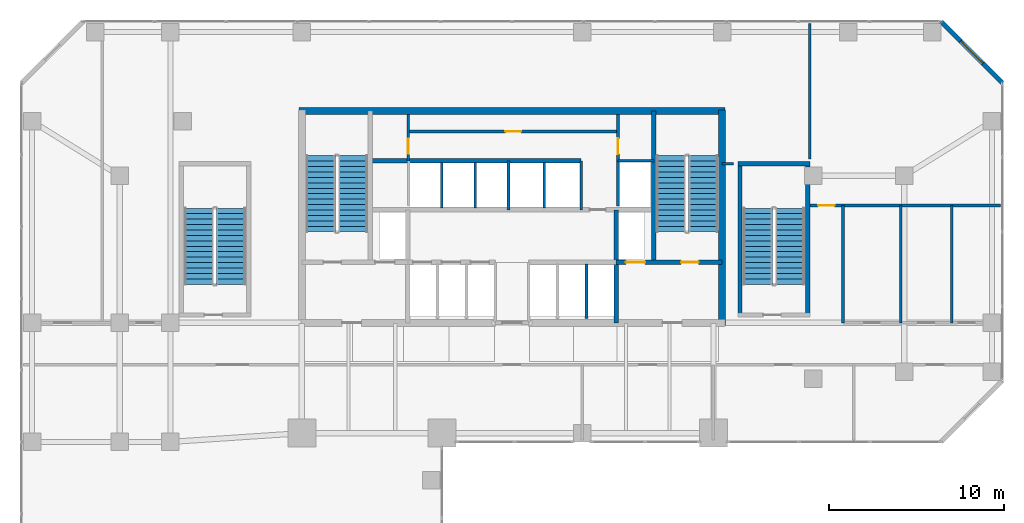
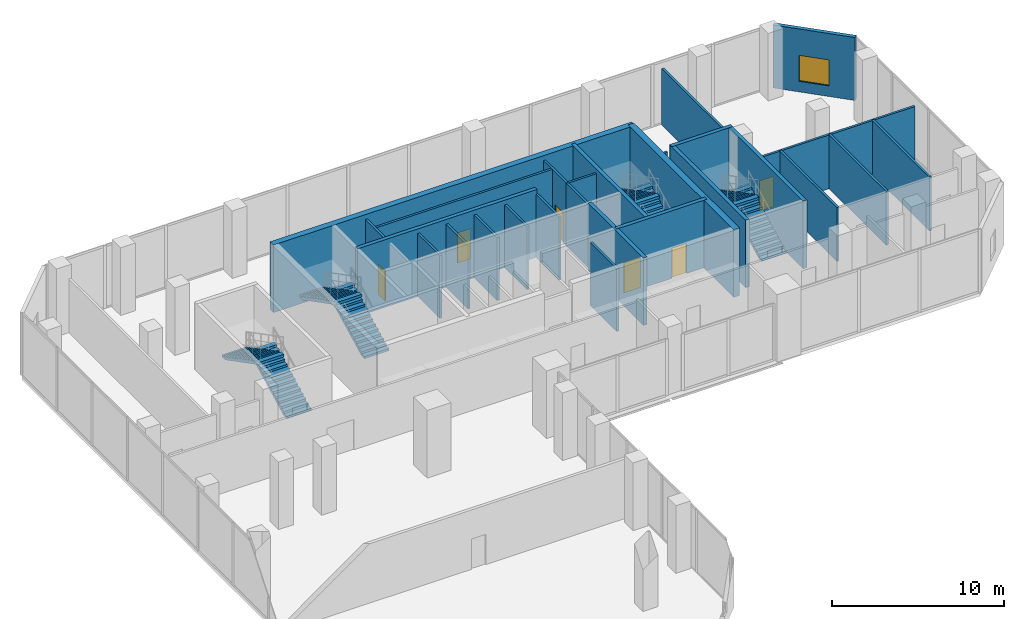
# One storey, part 22 of 24: 27 walls, 8 stair flights, 6 doors, 1 window, 7 openings, 4 elements without a shape of their own.
"""IFC4 building model written with IfcOpenShell, lengths in metres."""

from ifc_helpers import new_model, si_unit, direction, frame, frame_2d, origin, place, context, subcontext, project, spatial, polyline, rectangle, outline, extrude, material, layer, layer_set, type_object, element, fill, aggregate, save


model = new_model("IFC4")

# Units and contexts
model_context = context("Model", 3, precision=1e-05, world=origin(), true_north=direction((0.0, 1.0)))
body_context = subcontext(model_context, "Body", "Model", "MODEL_VIEW")
ifc_project = project(units=[si_unit("LENGTHUNIT", "METRE"), si_unit("AREAUNIT", "SQUARE_METRE"), si_unit("VOLUMEUNIT", "CUBIC_METRE"), si_unit("PLANEANGLEUNIT", "RADIAN"), si_unit("MASSUNIT", "GRAM", prefix="KILO")], contexts=[model_context])

# Site, building, storey
site_placement = place(None, origin())
site = spatial("IfcSite", under=ifc_project, at=site_placement, CompositionType="ELEMENT")
building_placement = place(site_placement, origin())
building = spatial("IfcBuilding", under=site, at=building_placement, Name="Catumbela Crestline Tower", CompositionType="ELEMENT")
storey_placement = place(building_placement, frame((0.0, 0.0, 11.1)))
storey = spatial("IfcBuildingStorey", under=building, at=storey_placement, Name="L02", CompositionType="ELEMENT", Elevation=11.1)

# Walls
ifc_material_1 = material(Name="Concrete C50/60", Category="concrete")
ifc_layer_1 = layer(ifc_material_1, 0.25, Name="Concrete C50/60")
ifc_layer_set_1 = layer_set([ifc_layer_1], Name="Concrete C50/60")
wall_type_1 = type_object("IfcWallType", Name="CW-250D", PredefinedType="SHEAR", material=ifc_layer_set_1)
wall_1_placement = place(storey_placement, frame((36.1, 34.25, 0.0), z_axis=(0.0, 0.0, 1.0), x_axis=(0.0, 1.0, 0.0)))
element("IfcWall", 1, at=wall_1_placement, inside=storey, type_object=wall_type_1, Name="L02 Structural Core Shear Wall EWEB", PredefinedType="SHEAR", context=body_context, shape_type="SweptSolid", body=[
    extrude(rectangle(XDim=8.65, YDim=0.25, at=frame_2d((4.325, 0.0))), origin(), (0.0, 0.0, 1.0), 4.8),
])
wall_2_placement = place(storey_placement, frame((33.95, 30.8, 0.0), z_axis=(0.0, 0.0, 1.0), x_axis=(0.0, 1.0, 0.0)))
element("IfcWall", 2, at=wall_2_placement, inside=storey, type_object=wall_type_1, Name="L02 Structural Core Shear Wall FFE", PredefinedType="SHEAR", context=body_context, shape_type="SweptSolid", body=[
    extrude(rectangle(XDim=6.45, YDim=0.25, at=frame_2d((3.225, 0.0))), origin(), (0.0, 0.0, 1.0), 4.8),
])

# Wall, openings, doors
wall_3_placement = place(storey_placement, frame((33.95, 34.25, 0.0), z_axis=(0.0, 0.0, 1.0), x_axis=(1.0, 0.0, 0.0)))
wall_3 = element("IfcWall", 3, at=wall_3_placement, inside=storey, type_object=wall_type_1, Name="L02 Structural Core Shear Wall ST2S", PredefinedType="SHEAR", context=body_context, shape_type="SweptSolid", body=[
    extrude(rectangle(XDim=6.05, YDim=0.25, at=frame_2d((3.025, 0.0))), origin(), (0.0, 0.0, 1.0), 4.8),
])
opening_1_placement = place(wall_3_placement, frame((3.7, 0.0, 0.0)))
opening_1 = element("IfcOpeningElement", 4, at=opening_1_placement, cuts=wall_3, Name="Opening DF9-100", PredefinedType="OPENING", context=body_context, shape_type="SweptSolid", body=[
    extrude(rectangle(XDim=1.0, YDim=2.15, at=frame_2d((0.5, 1.075))), frame((0.0, 0.135, 0.0), z_axis=(0.0, -1.0, 0.0), x_axis=(1.0, 0.0, 0.0)), (0.0, 0.0, 1.0), 0.27),
])
opening_2_placement = place(wall_3_placement, frame((0.55, 0.0, 0.0)))
opening_2 = element("IfcOpeningElement", 5, at=opening_2_placement, cuts=wall_3, Name="Opening LD-110", PredefinedType="OPENING", context=body_context, shape_type="SweptSolid", body=[
    extrude(rectangle(XDim=1.1, YDim=2.15, at=frame_2d((0.55, 1.075))), frame((0.0, 0.135, 0.0), z_axis=(0.0, -1.0, 0.0), x_axis=(1.0, 0.0, 0.0)), (0.0, 0.0, 1.0), 0.27),
])
ifc_material_2 = material(Name="Stainless steel EN 1.4401", Category="steel")
door_type_1 = type_object("IfcDoorType", Name="DF9-100", OperationType="NOTDEFINED", PredefinedType="DOOR", material=ifc_material_2)
door_1_placement = place(opening_1_placement, origin())
door_1 = element("IfcDoor", 6, at=door_1_placement, inside=storey, type_object=door_type_1, Name="L02 Interior Door DR-L02-ST02", OperationType="SINGLE_SWING_RIGHT", OverallHeight=2.15, OverallWidth=1.0, PredefinedType="DOOR", context=body_context, shape_type="SweptSolid", body=[
    extrude(rectangle(XDim=1.0, YDim=2.15, at=frame_2d((0.5, 1.075))), frame((0.0, 0.025, 0.0), z_axis=(0.0, -1.0, 0.0), x_axis=(1.0, 0.0, 0.0)), (0.0, 0.0, 1.0), 0.05),
])
fill(opening_1, door_1)
door_type_2 = type_object("IfcDoorType", Name="LD-110", OperationType="NOTDEFINED", PredefinedType="DOOR", material=ifc_material_2)
door_2_placement = place(opening_2_placement, origin())
door_2 = element("IfcDoor", 7, at=door_2_placement, inside=storey, type_object=door_type_2, Name="L02 Lift Landing Sliding Door FL-02", OperationType="DOUBLE_DOOR_SLIDING", OverallHeight=2.15, OverallWidth=1.1, PredefinedType="DOOR", context=body_context, shape_type="SweptSolid", body=[
    extrude(rectangle(XDim=1.1, YDim=2.15, at=frame_2d((0.55, 1.075))), frame((0.0, 0.025, 0.0), z_axis=(0.0, -1.0, 0.0), x_axis=(1.0, 0.0, 0.0)), (0.0, 0.0, 1.0), 0.05),
])
fill(opening_2, door_2)

# Walls
wall_4_placement = place(storey_placement, frame((19.9, 40.05, 0.0), z_axis=(0.0, 0.0, 1.0), x_axis=(1.0, 0.0, 0.0)))
element("IfcWall", 8, at=wall_4_placement, inside=storey, type_object=wall_type_1, Name="L02 Structural Core Shear Wall COREN", PredefinedType="SHEAR", context=body_context, shape_type="SweptSolid", body=[
    extrude(rectangle(XDim=12.05, YDim=0.25, at=frame_2d((6.025, 0.0))), origin(), (0.0, 0.0, 1.0), 4.8),
])
for number, where, z_axis, x_axis, name in (
    (9, (41.02, 31.15, 0.0), (0.0, 0.0, 1.0), (0.0, 1.0, 0.0), "L02 Structural Core Shear Wall ST4W"),
    (10, (44.88, 31.15, 0.0), (0.0, 0.0, 1.0), (0.0, 1.0, 0.0), "L02 Structural Core Shear Wall ST4E"),
):
    element("IfcWall", number, at=place(storey_placement, frame(where, z_axis=z_axis, x_axis=x_axis)), inside=storey, type_object=wall_type_1, Name=name, PredefinedType="SHEAR", context=body_context, shape_type="SweptSolid", body=[
        extrude(rectangle(XDim=8.8, YDim=0.25, at=frame_2d((4.4, 0.0))), origin(), (0.0, 0.0, 1.0), 4.8),
    ])
wall_5_placement = place(storey_placement, frame((40.9, 39.88, 0.0), z_axis=(0.0, 0.0, 1.0), x_axis=(1.0, 0.0, 0.0)))
element("IfcWall", 11, at=wall_5_placement, inside=storey, type_object=wall_type_1, Name="L02 Structural Core Shear Wall ST4N", PredefinedType="SHEAR", context=body_context, shape_type="SweptSolid", body=[
    extrude(rectangle(XDim=4.1, YDim=0.25, at=frame_2d((2.05, 0.0))), origin(), (0.0, 0.0, 1.0), 4.8),
])
ifc_material_3 = material(Name="Concrete C60/75", Category="concrete")
ifc_layer_2 = layer(ifc_material_3, 0.4, Name="Concrete C60/75")
ifc_layer_set_2 = layer_set([ifc_layer_2], Name="Concrete C60/75")
wall_type_2 = type_object("IfcWallType", Name="CW-400A", PredefinedType="SHEAR", material=ifc_layer_set_2)
wall_6_placement = place(storey_placement, frame((40.0, 30.65, 0.0), z_axis=(0.0, 0.0, 1.0), x_axis=(0.0, 1.0, 0.0)))
element("IfcWall", 12, at=wall_6_placement, inside=storey, type_object=wall_type_2, Name="L02 Structural Core Shear Wall E", PredefinedType="SHEAR", context=body_context, shape_type="SweptSolid", body=[
    extrude(rectangle(XDim=12.3, YDim=0.4, at=frame_2d((6.15, 0.0))), origin(), (0.0, 0.0, 1.0), 4.8),
])
wall_7_placement = place(storey_placement, frame((15.85, 42.9, 0.0), z_axis=(0.0, 0.0, 1.0), x_axis=(1.0, 0.0, 0.0)))
element("IfcWall", 13, at=wall_7_placement, inside=storey, type_object=wall_type_2, Name="L02 Structural Core Shear Wall N", PredefinedType="SHEAR", context=body_context, shape_type="SweptSolid", body=[
    extrude(rectangle(XDim=24.3, YDim=0.4, at=frame_2d((12.15, 0.0))), origin(), (0.0, 0.0, 1.0), 4.8),
])

# Wall, opening, window
ifc_material_4 = material(Name="Angolan grey-ochre granite", Category="masonry")
ifc_layer_3 = layer(ifc_material_4, 0.25, Name="Angolan grey-ochre granite")
ifc_layer_set_3 = layer_set([ifc_layer_3], Name="Angolan grey-ochre granite")
wall_type_3 = type_object("IfcWallType", Name="WE-250", PredefinedType="STANDARD", material=ifc_layer_set_3)
wall_8_placement = place(storey_placement, frame((56.0, 44.5, 0.0), z_axis=(0.0, 0.0, 1.0), x_axis=(-0.707106781187, 0.707106781187, 0.0)))
wall_8 = element("IfcWall", 14, at=wall_8_placement, inside=storey, type_object=wall_type_3, Name="L02 Granite Punched Window Wall 6-1", PredefinedType="STANDARD", context=body_context, shape_type="SweptSolid", body=[
    extrude(rectangle(XDim=4.9497, YDim=0.25, at=frame_2d((2.4748, 0.0))), origin(), (0.0, 0.0, 1.0), 4.47),
])
opening_3_placement = place(wall_8_placement, frame((1.5749, 0.0, 0.75)))
opening_3 = element("IfcOpeningElement", 15, at=opening_3_placement, cuts=wall_8, Name="Opening WN-01", PredefinedType="OPENING", context=body_context, shape_type="SweptSolid", body=[
    extrude(rectangle(XDim=1.8, YDim=1.85, at=frame_2d((0.9, 0.925))), frame((0.0, 0.135, 0.0), z_axis=(0.0, -1.0, 0.0), x_axis=(1.0, 0.0, 0.0)), (0.0, 0.0, 1.0), 0.27),
])
ifc_material_5 = material(Name="Low-E laminated solar-control double glazing", Category="glass")
window_type = type_object("IfcWindowType", Name="WF-1800", PartitioningType="SINGLE_PANEL", PredefinedType="WINDOW", material=ifc_material_5)
window_placement = place(opening_3_placement, origin())
window = element("IfcWindow", 16, at=window_placement, inside=storey, type_object=window_type, Name="L02 Facade Vision Window 33", OverallHeight=1.85, OverallWidth=1.8, PartitioningType="SINGLE_PANEL", PredefinedType="WINDOW", context=body_context, shape_type="SweptSolid", body=[
    extrude(rectangle(XDim=1.8, YDim=1.85, at=frame_2d((0.9, 0.925))), frame((0.0, 0.03, 0.0), z_axis=(0.0, -1.0, 0.0), x_axis=(1.0, 0.0, 0.0)), (0.0, 0.0, 1.0), 0.06),
])
fill(opening_3, window)

# Wall
ifc_material_6 = material(Name="Acoustic gypsum and mineral-wool partition")
ifc_layer_4 = layer(ifc_material_6, 0.15, Name="Acoustic gypsum and mineral-wool partition")
ifc_layer_set_4 = layer_set([ifc_layer_4], Name="Acoustic gypsum and mineral-wool partition")
wall_type_4 = type_object("IfcWallType", Name="WP-150", PredefinedType="PARTITIONING", material=ifc_layer_set_4)
wall_9_placement = place(storey_placement, frame((34.05, 40.05, 0.0), z_axis=(0.0, 0.0, 1.0), x_axis=(1.0, 0.0, 0.0)))
element("IfcWall", 17, at=wall_9_placement, inside=storey, type_object=wall_type_4, Name="L02 Interior Partition PW-L02-CR-ES", PredefinedType="PARTITIONING", context=body_context, shape_type="SweptSolid", body=[
    extrude(rectangle(XDim=2.05, YDim=0.15, at=frame_2d((1.025, 0.0))), origin(), (0.0, 0.0, 1.0), 4.47),
])

# Wall, opening, door
wall_10_placement = place(storey_placement, frame((34.05, 40.05, 0.0), z_axis=(0.0, 0.0, 1.0), x_axis=(0.0, 1.0, 0.0)))
wall_10 = element("IfcWall", 18, at=wall_10_placement, inside=storey, type_object=wall_type_4, Name="L02 Interior Partition PW-L02-CR-EW", PredefinedType="PARTITIONING", context=body_context, shape_type="SweptSolid", body=[
    extrude(rectangle(XDim=2.63, YDim=0.15, at=frame_2d((1.315, 0.0))), origin(), (0.0, 0.0, 1.0), 4.47),
])
opening_4_placement = place(wall_10_placement, frame((0.385, 0.0, 0.0)))
opening_4 = element("IfcOpeningElement", 19, at=opening_4_placement, cuts=wall_10, Name="Opening DF9-090", PredefinedType="OPENING", context=body_context, shape_type="SweptSolid", body=[
    extrude(rectangle(XDim=0.9, YDim=2.15, at=frame_2d((0.45, 1.075))), frame((0.0, 0.085, 0.0), z_axis=(0.0, -1.0, 0.0), x_axis=(1.0, 0.0, 0.0)), (0.0, 0.0, 1.0), 0.17),
])
door_type_3 = type_object("IfcDoorType", Name="DF9-090", OperationType="NOTDEFINED", PredefinedType="DOOR", material=ifc_material_2)
door_3_placement = place(opening_4_placement, origin())
door_3 = element("IfcDoor", 20, at=door_3_placement, inside=storey, type_object=door_type_3, Name="L02 Interior Door DR-L02-CREAST", OperationType="SINGLE_SWING_RIGHT", OverallHeight=2.15, OverallWidth=0.9, PredefinedType="DOOR", context=body_context, shape_type="SweptSolid", body=[
    extrude(rectangle(XDim=0.9, YDim=2.15, at=frame_2d((0.45, 1.075))), frame((0.0, 0.025, 0.0), z_axis=(0.0, -1.0, 0.0), x_axis=(1.0, 0.0, 0.0)), (0.0, 0.0, 1.0), 0.05),
])
fill(opening_4, door_3)

wall_11_placement = place(storey_placement, frame((22.08, 40.05, 0.0), z_axis=(0.0, 0.0, 1.0), x_axis=(0.0, 1.0, 0.0)))
wall_11 = element("IfcWall", 21, at=wall_11_placement, inside=storey, type_object=wall_type_4, Name="L02 Interior Partition PW-L02-CR-WCW", PredefinedType="PARTITIONING", context=body_context, shape_type="SweptSolid", body=[
    extrude(rectangle(XDim=2.63, YDim=0.15, at=frame_2d((1.315, 0.0))), origin(), (0.0, 0.0, 1.0), 4.47),
])
opening_5_placement = place(wall_11_placement, frame((0.41, 0.0, 0.0)))
opening_5 = element("IfcOpeningElement", 22, at=opening_5_placement, cuts=wall_11, Name="Opening DI-085", PredefinedType="OPENING", context=body_context, shape_type="SweptSolid", body=[
    extrude(rectangle(XDim=0.85, YDim=2.15, at=frame_2d((0.425, 1.075))), frame((0.0, 0.085, 0.0), z_axis=(0.0, -1.0, 0.0), x_axis=(1.0, 0.0, 0.0)), (0.0, 0.0, 1.0), 0.17),
])
ifc_material_7 = material(Name="Aluminium alloy AW-6060-T66", Category="aluminium")
door_type_4 = type_object("IfcDoorType", Name="DI-085", OperationType="NOTDEFINED", PredefinedType="DOOR", material=ifc_material_7)
door_4_placement = place(opening_5_placement, origin())
door_4 = element("IfcDoor", 23, at=door_4_placement, inside=storey, type_object=door_type_4, Name="L02 Interior Door DR-L02-CRWC", OperationType="SINGLE_SWING_LEFT", OverallHeight=2.15, OverallWidth=0.85, PredefinedType="DOOR", context=body_context, shape_type="SweptSolid", body=[
    extrude(rectangle(XDim=0.85, YDim=2.15, at=frame_2d((0.425, 1.075))), frame((0.0, 0.025, 0.0), z_axis=(0.0, -1.0, 0.0), x_axis=(1.0, 0.0, 0.0)), (0.0, 0.0, 1.0), 0.05),
])
fill(opening_5, door_4)

wall_12_placement = place(storey_placement, frame((22.08, 41.72, 0.0), z_axis=(0.0, 0.0, 1.0), x_axis=(1.0, 0.0, 0.0)))
wall_12 = element("IfcWall", 24, at=wall_12_placement, inside=storey, type_object=wall_type_4, Name="L02 Interior Partition PW-L02-CR-MID", PredefinedType="PARTITIONING", context=body_context, shape_type="SweptSolid", body=[
    extrude(rectangle(XDim=11.97, YDim=0.15, at=frame_2d((5.985, 0.0))), origin(), (0.0, 0.0, 1.0), 4.47),
])
opening_6_placement = place(wall_12_placement, frame((5.535, 0.0, 0.0)))
opening_6 = element("IfcOpeningElement", 25, at=opening_6_placement, cuts=wall_12, Name="Opening DF9-090", PredefinedType="OPENING", context=body_context, shape_type="SweptSolid", body=[
    extrude(rectangle(XDim=0.9, YDim=2.15, at=frame_2d((0.45, 1.075))), frame((0.0, 0.085, 0.0), z_axis=(0.0, -1.0, 0.0), x_axis=(1.0, 0.0, 0.0)), (0.0, 0.0, 1.0), 0.17),
])
door_5_placement = place(opening_6_placement, origin())
door_5 = element("IfcDoor", 26, at=door_5_placement, inside=storey, type_object=door_type_3, Name="L02 Interior Door DR-L02-CRMID", OperationType="SINGLE_SWING_LEFT", OverallHeight=2.15, OverallWidth=0.9, PredefinedType="DOOR", context=body_context, shape_type="SweptSolid", body=[
    extrude(rectangle(XDim=0.9, YDim=2.15, at=frame_2d((0.45, 1.075))), frame((0.0, 0.025, 0.0), z_axis=(0.0, -1.0, 0.0), x_axis=(1.0, 0.0, 0.0)), (0.0, 0.0, 1.0), 0.05),
])
fill(opening_6, door_5)

# Walls
for number, where, z_axis, x_axis, name in (
    (27, (46.9, 30.8, 0.0), (0.0, 0.0, 1.0), (0.0, 1.0, 0.0), "L02 Interior Partition PW-L02-PSGE"),
    (28, (50.2, 30.8, 0.0), (0.0, 0.0, 1.0), (0.0, 1.0, 0.0), "L02 Interior Partition PW-L02-WCM1"),
    (29, (53.1, 30.8, 0.0), (0.0, 0.0, 1.0), (0.0, 1.0, 0.0), "L02 Interior Partition PW-L02-WCM2"),
):
    element("IfcWall", number, at=place(storey_placement, frame(where, z_axis=z_axis, x_axis=x_axis)), inside=storey, type_object=wall_type_4, Name=name, PredefinedType="PARTITIONING", context=body_context, shape_type="SweptSolid", body=[
        extrude(rectangle(XDim=6.7, YDim=0.15, at=frame_2d((3.35, 0.0))), origin(), (0.0, 0.0, 1.0), 3.82),
    ])

# Wall, opening, door
wall_13_placement = place(storey_placement, frame((45.0, 37.5, 0.0), z_axis=(0.0, 0.0, 1.0), x_axis=(1.0, 0.0, 0.0)))
wall_13 = element("IfcWall", 30, at=wall_13_placement, inside=storey, type_object=wall_type_4, Name="L02 Interior Partition PW-L02-WCN", PredefinedType="PARTITIONING", context=body_context, shape_type="SweptSolid", body=[
    extrude(rectangle(XDim=10.9, YDim=0.15, at=frame_2d((5.45, 0.0))), origin(), (0.0, 0.0, 1.0), 3.82),
])
opening_7_placement = place(wall_13_placement, frame((0.475, 0.0, 0.0)))
opening_7 = element("IfcOpeningElement", 31, at=opening_7_placement, cuts=wall_13, Name="Opening DF6-095", PredefinedType="OPENING", context=body_context, shape_type="SweptSolid", body=[
    extrude(rectangle(XDim=0.95, YDim=2.15, at=frame_2d((0.475, 1.075))), frame((0.0, 0.085, 0.0), z_axis=(0.0, -1.0, 0.0), x_axis=(1.0, 0.0, 0.0)), (0.0, 0.0, 1.0), 0.17),
])
door_type_5 = type_object("IfcDoorType", Name="DF6-095", OperationType="NOTDEFINED", PredefinedType="DOOR", material=ifc_material_7)
door_6_placement = place(opening_7_placement, origin())
door_6 = element("IfcDoor", 32, at=door_6_placement, inside=storey, type_object=door_type_5, Name="L02 Interior Door DR-L02-NEE", OperationType="SINGLE_SWING_RIGHT", OverallHeight=2.15, OverallWidth=0.95, PredefinedType="DOOR", context=body_context, shape_type="SweptSolid", body=[
    extrude(rectangle(XDim=0.95, YDim=2.15, at=frame_2d((0.475, 1.075))), frame((0.0, 0.025, 0.0), z_axis=(0.0, -1.0, 0.0), x_axis=(1.0, 0.0, 0.0)), (0.0, 0.0, 1.0), 0.05),
])
fill(opening_7, door_6)

# Walls
wall_14_placement = place(storey_placement, frame((45.0, 40.1634, 0.0), z_axis=(0.0, 0.0, 1.0), x_axis=(0.0, 1.0, 0.0)))
element("IfcWall", 33, at=wall_14_placement, inside=storey, type_object=wall_type_4, Name="L02 Interior Partition PW-L02-NESVW", PredefinedType="PARTITIONING", context=body_context, shape_type="SweptSolid", body=[
    extrude(rectangle(XDim=7.7366, YDim=0.15, at=frame_2d((3.8683, 0.0))), origin(), (0.0, 0.0, 1.0), 4.01),
])
wall_15_placement = place(storey_placement, frame((40.0, 39.88, 0.0), z_axis=(0.0, 0.0, 1.0), x_axis=(1.0, 0.0, 0.0)))
element("IfcWall", 34, at=wall_15_placement, inside=storey, type_object=wall_type_4, Name="L02 Interior Partition PW-L02-NECR", PredefinedType="PARTITIONING", context=body_context, shape_type="SweptSolid", body=[
    extrude(rectangle(XDim=0.655, YDim=0.15, at=frame_2d((0.3275, 0.0))), origin(), (0.0, 0.0, 1.0), 4.47),
])
ifc_layer_5 = layer(ifc_material_6, 0.15, Name="Acoustic gypsum and mineral-wool partition")
ifc_layer_set_5 = layer_set([ifc_layer_5], Name="Acoustic gypsum and mineral-wool partition")
wall_type_5 = type_object("IfcWallType", Name="WS-150", PredefinedType="PLUMBINGWALL", material=ifc_layer_set_5)
wall_16_placement = place(storey_placement, frame((32.25, 31.05, 0.0), z_axis=(0.0, 0.0, 1.0), x_axis=(0.0, 1.0, 0.0)))
element("IfcWall", 35, at=wall_16_placement, inside=storey, type_object=wall_type_5, Name="L02 Interior Partition PW-L02-SHM2", PredefinedType="PLUMBINGWALL", context=body_context, shape_type="SweptSolid", body=[
    extrude(rectangle(XDim=3.1, YDim=0.15, at=frame_2d((1.55, 0.0))), origin(), (0.0, 0.0, 1.0), 4.47),
])
wall_17_placement = place(storey_placement, frame((27.8, 37.25, 0.0), z_axis=(0.0, 0.0, 1.0), x_axis=(0.0, 1.0, 0.0)))
element("IfcWall", 36, at=wall_17_placement, inside=storey, type_object=wall_type_5, Name="L02 Interior Partition PW-L02-SHH3", PredefinedType="PLUMBINGWALL", context=body_context, shape_type="SweptSolid", body=[
    extrude(rectangle(XDim=2.8, YDim=0.15, at=frame_2d((1.4, 0.0))), origin(), (0.0, 0.0, 1.0), 4.47),
])
for number, where, z_axis, x_axis, name in (
    (37, (24.0, 37.35, 0.0), (0.0, 0.0, 1.0), (0.0, 1.0, 0.0), "L02 Interior Partition PW-L02-SHH1"),
    (38, (25.9, 37.35, 0.0), (0.0, 0.0, 1.0), (0.0, 1.0, 0.0), "L02 Interior Partition PW-L02-SHH2"),
):
    element("IfcWall", number, at=place(storey_placement, frame(where, z_axis=z_axis, x_axis=x_axis)), inside=storey, type_object=wall_type_5, Name=name, PredefinedType="PLUMBINGWALL", context=body_context, shape_type="SweptSolid", body=[
        extrude(rectangle(XDim=2.6, YDim=0.15, at=frame_2d((1.3, 0.0))), origin(), (0.0, 0.0, 1.0), 4.47),
    ])
wall_18_placement = place(storey_placement, frame((31.95, 37.25, 0.0), z_axis=(0.0, 0.0, 1.0), x_axis=(0.0, 1.0, 0.0)))
element("IfcWall", 39, at=wall_18_placement, inside=storey, type_object=wall_type_5, Name="L02 Interior Partition PW-L02-SHEX2E", PredefinedType="PLUMBINGWALL", context=body_context, shape_type="SweptSolid", body=[
    extrude(rectangle(XDim=2.8, YDim=0.15, at=frame_2d((1.4, 0.0))), origin(), (0.0, 0.0, 1.0), 4.47),
])
wall_19_placement = place(storey_placement, frame((29.85, 37.35, 0.0), z_axis=(0.0, 0.0, 1.0), x_axis=(0.0, 1.0, 0.0)))
element("IfcWall", 40, at=wall_19_placement, inside=storey, type_object=wall_type_5, Name="L02 Interior Partition PW-L02-SHEX1", PredefinedType="PLUMBINGWALL", context=body_context, shape_type="SweptSolid", body=[
    extrude(rectangle(XDim=2.6, YDim=0.15, at=frame_2d((1.3, 0.0))), origin(), (0.0, 0.0, 1.0), 4.47),
])
wall_20_placement = place(storey_placement, frame((34.05, 37.4734, 0.0), z_axis=(0.0, 0.0, 1.0), x_axis=(0.0, 1.0, 0.0)))
element("IfcWall", 41, at=wall_20_placement, inside=storey, type_object=wall_type_5, Name="L02 Interior Partition PW-L02-RISW", PredefinedType="PLUMBINGWALL", context=body_context, shape_type="SweptSolid", body=[
    extrude(rectangle(XDim=2.5766, YDim=0.15, at=frame_2d((1.2883, 0.0))), origin(), (0.0, 0.0, 1.0), 4.47),
])

# Stair, stair flights
ifc_material_8 = material(Name="Concrete C45/55", Category="concrete")
stair_type = type_object("IfcStairType", Name="ST-DLG", PredefinedType="HALF_TURN_STAIR", material=ifc_material_8)
stair_1_placement = place(storey_placement, origin())
stair_1 = element("IfcStair", 42, at=stair_1_placement, inside=storey, type_object=stair_type, Name="L02 West Core Pressurised Exit Stair ST-01", PredefinedType="HALF_TURN_STAIR")
stair_flight_type = type_object("IfcStairFlightType", Name="SF-1600", PredefinedType="STRAIGHT", material=ifc_material_8)
stair_flight_1_placement = place(storey_placement, frame((18.92, 36.0, 0.0), z_axis=(0.0, 0.0, 1.0), x_axis=(0.0, 1.0, 0.0)))
stair_flight_1 = element("IfcStairFlight", 43, at=stair_flight_1_placement, type_object=stair_flight_type, Name="ST-01 flight 1", NumberOfRisers=15, NumberOfTreads=14, PredefinedType="STRAIGHT", RiserHeight=0.16, TreadLength=0.31, context=body_context, shape_type="SweptSolid", body=[
    extrude(outline(polyline([(0.0, 0.0), (0.0, 0.16), (0.31, 0.16), (0.31, 0.32), (0.62, 0.32), (0.62, 0.48), (0.93, 0.48), (0.93, 0.64), (1.24, 0.64), (1.24, 0.8), (1.55, 0.8), (1.55, 0.96), (1.86, 0.96), (1.86, 1.12), (2.17, 1.12), (2.17, 1.28), (2.48, 1.28), (2.48, 1.44), (2.79, 1.44), (2.79, 1.6), (3.1, 1.6), (3.1, 1.76), (3.41, 1.76), (3.41, 1.92), (3.72, 1.92), (3.72, 2.08), (4.03, 2.08), (4.03, 2.24), (4.34, 2.24), (4.34, 2.4), (4.34, 2.0599), (0.3489, 0.0), (0.0, 0.0)])), frame((0.0, 0.83, 0.0), z_axis=(0.0, -1.0, 0.0), x_axis=(1.0, 0.0, 0.0)), (0.0, 0.0, 1.0), 1.66),
])
stair_flight_2_placement = place(storey_placement, frame((17.08, 40.34, 2.4), z_axis=(0.0, 0.0, 1.0), x_axis=(0.0, -1.0, 0.0)))
stair_flight_2 = element("IfcStairFlight", 44, at=stair_flight_2_placement, type_object=stair_flight_type, Name="ST-01 flight 2", NumberOfRisers=15, NumberOfTreads=14, PredefinedType="STRAIGHT", RiserHeight=0.16, TreadLength=0.31, context=body_context, shape_type="SweptSolid", body=[
    extrude(outline(polyline([(0.0, 0.0), (0.0, 0.16), (0.31, 0.16), (0.31, 0.32), (0.62, 0.32), (0.62, 0.48), (0.93, 0.48), (0.93, 0.64), (1.24, 0.64), (1.24, 0.8), (1.55, 0.8), (1.55, 0.96), (1.86, 0.96), (1.86, 1.12), (2.17, 1.12), (2.17, 1.28), (2.48, 1.28), (2.48, 1.44), (2.79, 1.44), (2.79, 1.6), (3.1, 1.6), (3.1, 1.76), (3.41, 1.76), (3.41, 1.92), (3.72, 1.92), (3.72, 2.08), (4.03, 2.08), (4.03, 2.24), (4.34, 2.24), (4.34, 2.4), (4.34, 2.0599), (0.3489, 0.0), (0.0, 0.0)])), frame((0.0, 0.83, 0.0), z_axis=(0.0, -1.0, 0.0), x_axis=(1.0, 0.0, 0.0)), (0.0, 0.0, 1.0), 1.66),
])
aggregate(stair_1, [stair_flight_1, stair_flight_2])

stair_2_placement = place(storey_placement, origin())
stair_2 = element("IfcStair", 45, at=stair_2_placement, inside=storey, type_object=stair_type, Name="L02 East Core Pressurised Exit Stair ST-02", PredefinedType="HALF_TURN_STAIR")
stair_flight_3_placement = place(storey_placement, frame((38.92, 36.0, 0.0), z_axis=(0.0, 0.0, 1.0), x_axis=(0.0, 1.0, 0.0)))
stair_flight_3 = element("IfcStairFlight", 46, at=stair_flight_3_placement, type_object=stair_flight_type, Name="ST-02 flight 1", NumberOfRisers=15, NumberOfTreads=14, PredefinedType="STRAIGHT", RiserHeight=0.16, TreadLength=0.31, context=body_context, shape_type="SweptSolid", body=[
    extrude(outline(polyline([(0.0, 0.0), (0.0, 0.16), (0.31, 0.16), (0.31, 0.32), (0.62, 0.32), (0.62, 0.48), (0.93, 0.48), (0.93, 0.64), (1.24, 0.64), (1.24, 0.8), (1.55, 0.8), (1.55, 0.96), (1.86, 0.96), (1.86, 1.12), (2.17, 1.12), (2.17, 1.28), (2.48, 1.28), (2.48, 1.44), (2.79, 1.44), (2.79, 1.6), (3.1, 1.6), (3.1, 1.76), (3.41, 1.76), (3.41, 1.92), (3.72, 1.92), (3.72, 2.08), (4.03, 2.08), (4.03, 2.24), (4.34, 2.24), (4.34, 2.4), (4.34, 2.0599), (0.3489, 0.0), (0.0, 0.0)])), frame((0.0, 0.83, 0.0), z_axis=(0.0, -1.0, 0.0), x_axis=(1.0, 0.0, 0.0)), (0.0, 0.0, 1.0), 1.66),
])
stair_flight_4_placement = place(storey_placement, frame((37.08, 40.34, 2.4), z_axis=(0.0, 0.0, 1.0), x_axis=(0.0, -1.0, 0.0)))
stair_flight_4 = element("IfcStairFlight", 47, at=stair_flight_4_placement, type_object=stair_flight_type, Name="ST-02 flight 2", NumberOfRisers=15, NumberOfTreads=14, PredefinedType="STRAIGHT", RiserHeight=0.16, TreadLength=0.31, context=body_context, shape_type="SweptSolid", body=[
    extrude(outline(polyline([(0.0, 0.0), (0.0, 0.16), (0.31, 0.16), (0.31, 0.32), (0.62, 0.32), (0.62, 0.48), (0.93, 0.48), (0.93, 0.64), (1.24, 0.64), (1.24, 0.8), (1.55, 0.8), (1.55, 0.96), (1.86, 0.96), (1.86, 1.12), (2.17, 1.12), (2.17, 1.28), (2.48, 1.28), (2.48, 1.44), (2.79, 1.44), (2.79, 1.6), (3.1, 1.6), (3.1, 1.76), (3.41, 1.76), (3.41, 1.92), (3.72, 1.92), (3.72, 2.08), (4.03, 2.08), (4.03, 2.24), (4.34, 2.24), (4.34, 2.4), (4.34, 2.0599), (0.3489, 0.0), (0.0, 0.0)])), frame((0.0, 0.83, 0.0), z_axis=(0.0, -1.0, 0.0), x_axis=(1.0, 0.0, 0.0)), (0.0, 0.0, 1.0), 1.66),
])
aggregate(stair_2, [stair_flight_3, stair_flight_4])

stair_3_placement = place(storey_placement, origin())
stair_3 = element("IfcStair", 48, at=stair_3_placement, inside=storey, type_object=stair_type, Name="L02 South-West Podium Exit Stair ST-03", PredefinedType="HALF_TURN_STAIR")
stair_flight_5_placement = place(storey_placement, frame((11.97, 33.0, 0.0), z_axis=(0.0, 0.0, 1.0), x_axis=(0.0, 1.0, 0.0)))
stair_flight_5 = element("IfcStairFlight", 49, at=stair_flight_5_placement, type_object=stair_flight_type, Name="ST-03 flight 1", NumberOfRisers=15, NumberOfTreads=14, PredefinedType="STRAIGHT", RiserHeight=0.16, TreadLength=0.31, context=body_context, shape_type="SweptSolid", body=[
    extrude(outline(polyline([(0.0, 0.0), (0.0, 0.16), (0.31, 0.16), (0.31, 0.32), (0.62, 0.32), (0.62, 0.48), (0.93, 0.48), (0.93, 0.64), (1.24, 0.64), (1.24, 0.8), (1.55, 0.8), (1.55, 0.96), (1.86, 0.96), (1.86, 1.12), (2.17, 1.12), (2.17, 1.28), (2.48, 1.28), (2.48, 1.44), (2.79, 1.44), (2.79, 1.6), (3.1, 1.6), (3.1, 1.76), (3.41, 1.76), (3.41, 1.92), (3.72, 1.92), (3.72, 2.08), (4.03, 2.08), (4.03, 2.24), (4.34, 2.24), (4.34, 2.4), (4.34, 2.0599), (0.3489, 0.0), (0.0, 0.0)])), frame((0.0, 0.83, 0.0), z_axis=(0.0, -1.0, 0.0), x_axis=(1.0, 0.0, 0.0)), (0.0, 0.0, 1.0), 1.66),
])
stair_flight_6_placement = place(storey_placement, frame((10.13, 37.34, 2.4), z_axis=(0.0, 0.0, 1.0), x_axis=(0.0, -1.0, 0.0)))
stair_flight_6 = element("IfcStairFlight", 50, at=stair_flight_6_placement, type_object=stair_flight_type, Name="ST-03 flight 2", NumberOfRisers=15, NumberOfTreads=14, PredefinedType="STRAIGHT", RiserHeight=0.16, TreadLength=0.31, context=body_context, shape_type="SweptSolid", body=[
    extrude(outline(polyline([(0.0, 0.0), (0.0, 0.16), (0.31, 0.16), (0.31, 0.32), (0.62, 0.32), (0.62, 0.48), (0.93, 0.48), (0.93, 0.64), (1.24, 0.64), (1.24, 0.8), (1.55, 0.8), (1.55, 0.96), (1.86, 0.96), (1.86, 1.12), (2.17, 1.12), (2.17, 1.28), (2.48, 1.28), (2.48, 1.44), (2.79, 1.44), (2.79, 1.6), (3.1, 1.6), (3.1, 1.76), (3.41, 1.76), (3.41, 1.92), (3.72, 1.92), (3.72, 2.08), (4.03, 2.08), (4.03, 2.24), (4.34, 2.24), (4.34, 2.4), (4.34, 2.0599), (0.3489, 0.0), (0.0, 0.0)])), frame((0.0, 0.83, 0.0), z_axis=(0.0, -1.0, 0.0), x_axis=(1.0, 0.0, 0.0)), (0.0, 0.0, 1.0), 1.66),
])
aggregate(stair_3, [stair_flight_5, stair_flight_6])

stair_4_placement = place(storey_placement, origin())
stair_4 = element("IfcStair", 51, at=stair_4_placement, inside=storey, type_object=stair_type, Name="L02 East Galleria Podium Exit Stair ST-04", PredefinedType="HALF_TURN_STAIR")
stair_flight_7_placement = place(storey_placement, frame((43.87, 33.0, 0.0), z_axis=(0.0, 0.0, 1.0), x_axis=(0.0, 1.0, 0.0)))
stair_flight_7 = element("IfcStairFlight", 52, at=stair_flight_7_placement, type_object=stair_flight_type, Name="ST-04 flight 1", NumberOfRisers=15, NumberOfTreads=14, PredefinedType="STRAIGHT", RiserHeight=0.16, TreadLength=0.31, context=body_context, shape_type="SweptSolid", body=[
    extrude(outline(polyline([(0.0, 0.0), (0.0, 0.16), (0.31, 0.16), (0.31, 0.32), (0.62, 0.32), (0.62, 0.48), (0.93, 0.48), (0.93, 0.64), (1.24, 0.64), (1.24, 0.8), (1.55, 0.8), (1.55, 0.96), (1.86, 0.96), (1.86, 1.12), (2.17, 1.12), (2.17, 1.28), (2.48, 1.28), (2.48, 1.44), (2.79, 1.44), (2.79, 1.6), (3.1, 1.6), (3.1, 1.76), (3.41, 1.76), (3.41, 1.92), (3.72, 1.92), (3.72, 2.08), (4.03, 2.08), (4.03, 2.24), (4.34, 2.24), (4.34, 2.4), (4.34, 2.0599), (0.3489, 0.0), (0.0, 0.0)])), frame((0.0, 0.83, 0.0), z_axis=(0.0, -1.0, 0.0), x_axis=(1.0, 0.0, 0.0)), (0.0, 0.0, 1.0), 1.66),
])
stair_flight_8_placement = place(storey_placement, frame((42.03, 37.34, 2.4), z_axis=(0.0, 0.0, 1.0), x_axis=(0.0, -1.0, 0.0)))
stair_flight_8 = element("IfcStairFlight", 53, at=stair_flight_8_placement, type_object=stair_flight_type, Name="ST-04 flight 2", NumberOfRisers=15, NumberOfTreads=14, PredefinedType="STRAIGHT", RiserHeight=0.16, TreadLength=0.31, context=body_context, shape_type="SweptSolid", body=[
    extrude(outline(polyline([(0.0, 0.0), (0.0, 0.16), (0.31, 0.16), (0.31, 0.32), (0.62, 0.32), (0.62, 0.48), (0.93, 0.48), (0.93, 0.64), (1.24, 0.64), (1.24, 0.8), (1.55, 0.8), (1.55, 0.96), (1.86, 0.96), (1.86, 1.12), (2.17, 1.12), (2.17, 1.28), (2.48, 1.28), (2.48, 1.44), (2.79, 1.44), (2.79, 1.6), (3.1, 1.6), (3.1, 1.76), (3.41, 1.76), (3.41, 1.92), (3.72, 1.92), (3.72, 2.08), (4.03, 2.08), (4.03, 2.24), (4.34, 2.24), (4.34, 2.4), (4.34, 2.0599), (0.3489, 0.0), (0.0, 0.0)])), frame((0.0, 0.83, 0.0), z_axis=(0.0, -1.0, 0.0), x_axis=(1.0, 0.0, 0.0)), (0.0, 0.0, 1.0), 1.66),
])
aggregate(stair_4, [stair_flight_7, stair_flight_8])

save(model, "model.ifc")
